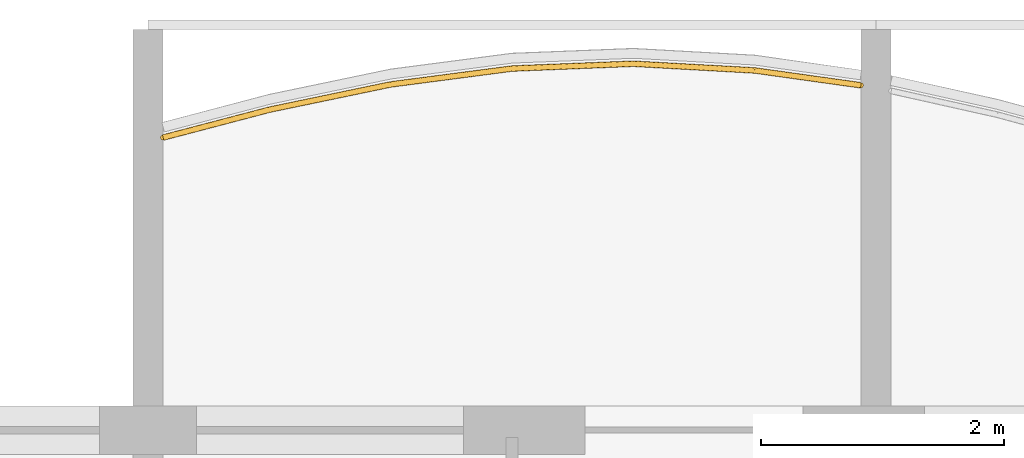
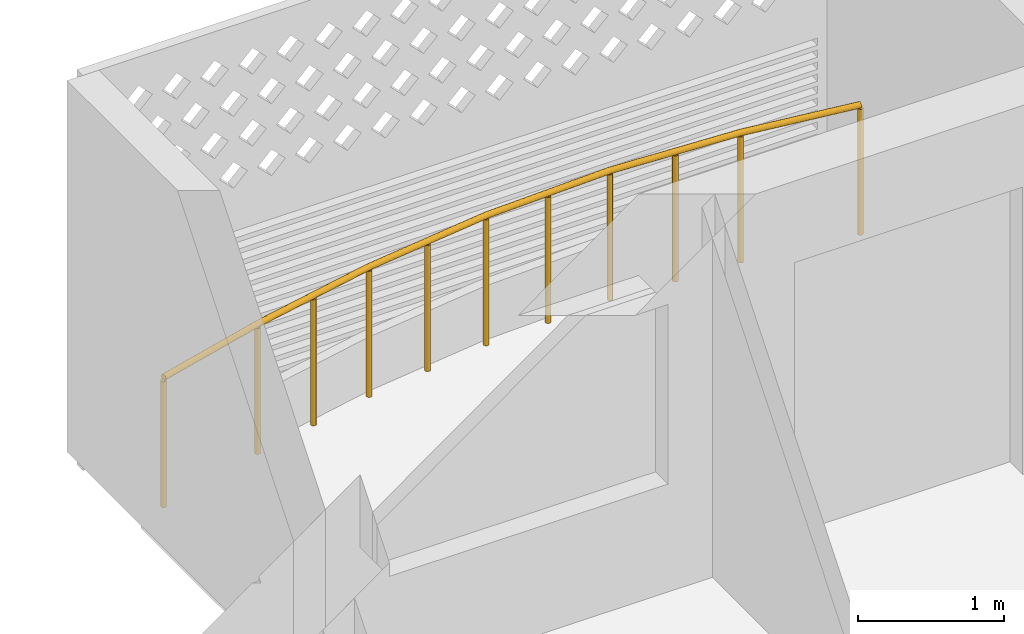
# One storey, part 24 of 29: 1 railing.
"""IFC4 building model written with IfcOpenShell, lengths in metres."""

from ifc_helpers import new_model, si_unit, direction, frame, origin, origin_2d, place, context, subcontext, project, spatial, circle, extrude, material, type_object, element, save


model = new_model("IFC4")

# Units and contexts
model_context = context("Model", 3, precision=1e-05, world=origin(), true_north=direction((0.0, 1.0)))
body_context = subcontext(model_context, "Body", "Model", "MODEL_VIEW")
ifc_project = project(units=[si_unit("LENGTHUNIT", "METRE"), si_unit("AREAUNIT", "SQUARE_METRE"), si_unit("VOLUMEUNIT", "CUBIC_METRE"), si_unit("PLANEANGLEUNIT", "RADIAN"), si_unit("MASSUNIT", "GRAM", prefix="KILO")], contexts=[model_context])

# Site, building, storey
site_placement = place(None, origin())
site = spatial("IfcSite", under=ifc_project, at=site_placement, CompositionType="ELEMENT")
building_placement = place(site_placement, origin())
building = spatial("IfcBuilding", under=site, at=building_placement, Name="Poui Terraces", CompositionType="ELEMENT")
storey_placement = place(building_placement, frame((0.0, 0.0, 237.89990234375)))
storey = spatial("IfcBuildingStorey", under=building, at=storey_placement, Name="L66", CompositionType="ELEMENT", Elevation=237.89990234375)

# Railing
ifc_material = material(Name="Painted steel fretwork", Category="steel")
railing_type = type_object("IfcRailingType", Name="BALCONY GUARD 1100", PredefinedType="GUARDRAIL", material=ifc_material)
railing_placement = place(storey_placement, frame((60.125, 43.611328125, 0.0)))
element("IfcRailing", 1, at=railing_placement, inside=storey, type_object=railing_type, Name="BALCONY GUARD", PredefinedType="GUARDRAIL", context=body_context, shape_type="SweptSolid", body=[
    extrude(circle(Radius=0.02392578125, at=origin_2d()), frame((0.0, 0.0, 1.076171875), z_axis=(0.967283967455, 0.253696129857, 0.0), x_axis=(-0.253696129857, 0.967283967455, 0.0)), (0.0, 0.0, 1.0), 0.904541015625),
    extrude(circle(Radius=0.02392578125, at=origin_2d()), frame((0.875, 0.2294921875, 1.076171875), z_axis=(0.978996324432, 0.203877896665, 0.0), x_axis=(-0.203877896665, 0.978996324432, 0.0)), (0.0, 0.0, 1.0), 1.021484375),
    extrude(circle(Radius=0.02392578125, at=origin_2d()), frame((1.875, 0.437744140625, 1.076171875), z_axis=(0.991546329967, 0.129753133023, 0.0), x_axis=(-0.129753133023, 0.991546329967, 0.0)), (0.0, 0.0, 1.0), 1.008544921875),
    extrude(circle(Radius=0.02392578125, at=origin_2d()), frame((2.875, 0.568603515625, 1.076171875), z_axis=(0.99920912132, 0.03976344892, 0.0), x_axis=(-0.03976344892, 0.99920912132, 0.0)), (0.0, 0.0, 1.0), 1.000732421875),
    extrude(circle(Radius=0.02392578125, at=origin_2d()), frame((3.875, 0.6083984375, 1.076171875), z_axis=(0.998467844587, -0.055335009942, 0.0), x_axis=(0.055335009942, 0.998467844587, 0.0)), (0.0, 0.0, 1.0), 1.00146484375),
    extrude(circle(Radius=0.02392578125, at=origin_2d()), frame((4.875, 0.552978515625, 1.076171875), z_axis=(0.990370561687, -0.138441867021, 0.0), x_axis=(0.138441867021, 0.990370561687, 0.0)), (0.0, 0.0, 1.0), 0.883544921875),
    extrude(circle(Radius=0.02099609375, at=origin_2d()), origin(), (0.0, 0.0, 1.0), 1.052001953125),
    extrude(circle(Radius=0.02099609375, at=origin_2d()), frame((0.875, 0.2294921875, 0.0)), (0.0, 0.0, 1.0), 1.052001953125),
    extrude(circle(Radius=0.02099609375, at=origin_2d()), frame((1.375, 0.33349609375, 0.0)), (0.0, 0.0, 1.0), 1.052001953125),
    extrude(circle(Radius=0.02099609375, at=origin_2d()), frame((1.875, 0.437744140625, 0.0)), (0.0, 0.0, 1.0), 1.052001953125),
    extrude(circle(Radius=0.02099609375, at=origin_2d()), frame((2.375, 0.503173828125, 0.0)), (0.0, 0.0, 1.0), 1.052001953125),
    extrude(circle(Radius=0.02099609375, at=origin_2d()), frame((2.875, 0.568603515625, 0.0)), (0.0, 0.0, 1.0), 1.052001953125),
    extrude(circle(Radius=0.02099609375, at=origin_2d()), frame((3.375, 0.58837890625, 0.0)), (0.0, 0.0, 1.0), 1.052001953125),
    extrude(circle(Radius=0.02099609375, at=origin_2d()), frame((3.875, 0.6083984375, 0.0)), (0.0, 0.0, 1.0), 1.052001953125),
    extrude(circle(Radius=0.02099609375, at=origin_2d()), frame((4.375, 0.58056640625, 0.0)), (0.0, 0.0, 1.0), 1.052001953125),
    extrude(circle(Radius=0.02099609375, at=origin_2d()), frame((4.875, 0.552978515625, 0.0)), (0.0, 0.0, 1.0), 1.052001953125),
    extrude(circle(Radius=0.02099609375, at=origin_2d()), frame((5.75, 0.4306640625, 0.0)), (0.0, 0.0, 1.0), 1.052001953125),
])

save(model, "model.ifc")
